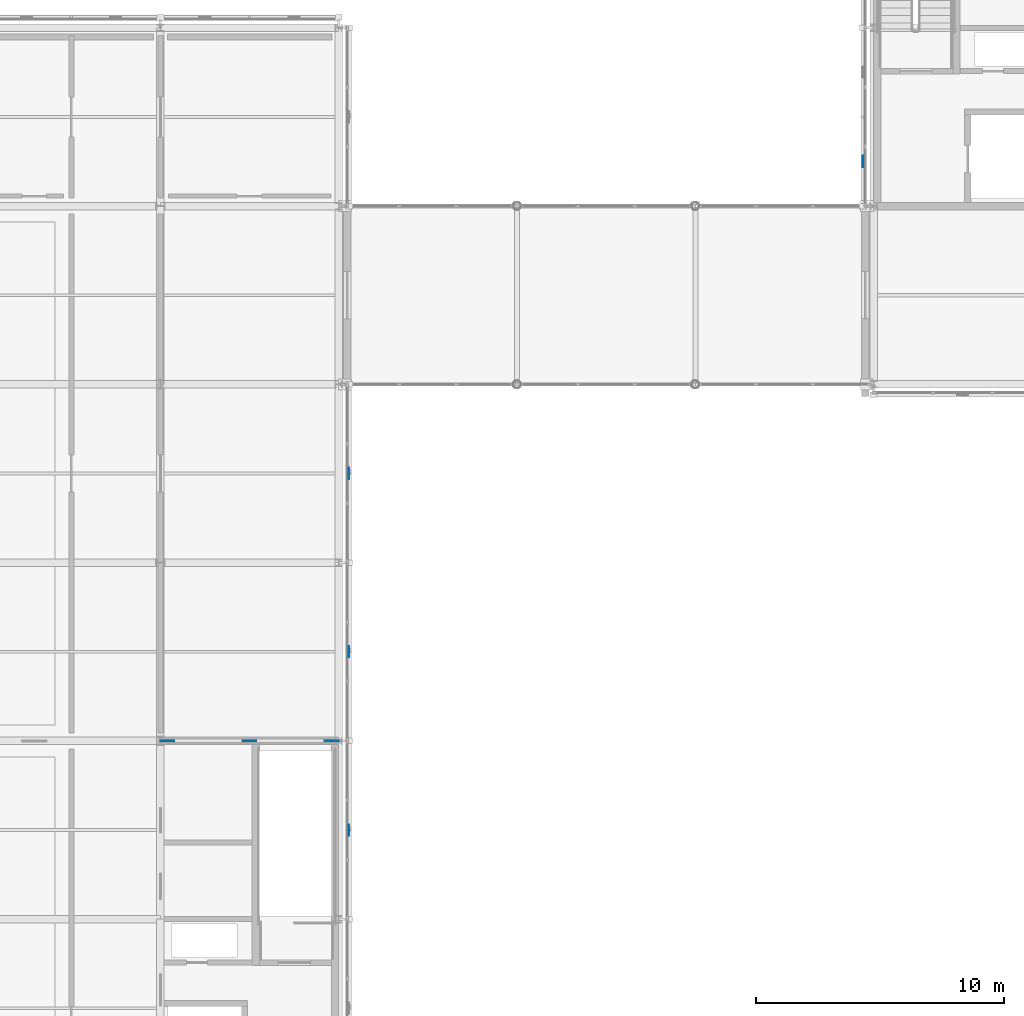
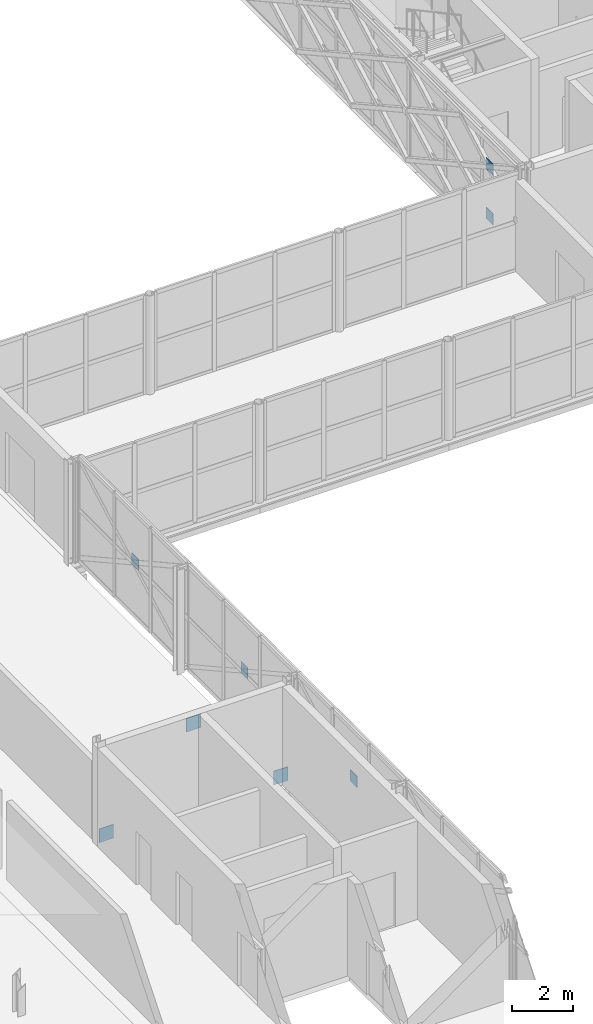
# One storey, part 79 of 103: 8 plates.
"""IFC4 building model written with IfcOpenShell, lengths in metres."""

from ifc_helpers import new_model, si_unit, direction, frame, origin, origin_2d, place, context, subcontext, project, spatial, rectangle, extrude, material, layer, layer_set, type_object, element, save


model = new_model("IFC4")

# Units and contexts
model_context = context("Model", 3, precision=1e-05, world=origin(), true_north=direction((0.0, 1.0)))
body_context = subcontext(model_context, "Body", "Model", "MODEL_VIEW")
ifc_project = project(units=[si_unit("LENGTHUNIT", "METRE"), si_unit("AREAUNIT", "SQUARE_METRE"), si_unit("VOLUMEUNIT", "CUBIC_METRE"), si_unit("PLANEANGLEUNIT", "RADIAN"), si_unit("MASSUNIT", "GRAM", prefix="KILO")], contexts=[model_context])

# Site, building, storey
site_placement = place(None, origin())
site = spatial("IfcSite", under=ifc_project, at=site_placement, CompositionType="ELEMENT")
building_placement = place(site_placement, origin())
building = spatial("IfcBuilding", under=site, at=building_placement, Name="Zlatovets Crest Museum", CompositionType="ELEMENT")
storey_placement = place(building_placement, frame((0.0, 0.0, 12.89990234375)))
storey = spatial("IfcBuildingStorey", under=building, at=storey_placement, Name="L03", CompositionType="ELEMENT", Elevation=12.89990234375)

# Plates
ifc_material = material(Name="Structural steel S355J2", Category="steel")
ifc_layer_1 = layer(ifc_material, 0.02490234375)
ifc_layer_set_1 = layer_set([ifc_layer_1], Name="Structural steel S355J2")
plate_type_1 = type_object("IfcPlateType", Name="Gusset_GP-01", PredefinedType="USERDEFINED", material=ifc_layer_set_1)
for number, where, z_axis, x_axis, name in (
    (1, (29.080078125, 72.0, 0.0048828125), (0.0, 0.0, 1.0), (1.0, 0.0, 0.0), "V4 L03 Brace End Gusset Plate GP-01"),
    (2, (35.719970703125, 72.0, 0.0048828125), (0.0, 0.0, 1.0), (1.0, 0.0, 0.0), "V4 L03 Brace End Gusset Plate GP-01"),
    (3, (32.39990234375, 72.0, 3.294921875), (0.0, 0.0, 1.0), (1.0, 0.0, 0.0), "V4 L03 Brace End Gusset Plate GP-01"),
):
    element("IfcPlate", number, at=place(storey_placement, frame(where, z_axis=z_axis, x_axis=x_axis)), inside=storey, type_object=plate_type_1, Name=name, ObjectType="GUSSET", PredefinedType="USERDEFINED", context=body_context, shape_type="SweptSolid", body=[
        extrude(rectangle(XDim=0.550048828125, YDim=0.02490234375, at=origin_2d()), origin(), (0.0, 0.0, 1.0), 0.550048828125),
    ])
ifc_layer_2 = layer(ifc_material, 0.02001953125)
ifc_layer_set_2 = layer_set([ifc_layer_2], Name="Structural steel S355J2")
plate_type_2 = type_object("IfcPlateType", Name="Gusset_GP-04", PredefinedType="USERDEFINED", material=ifc_layer_set_2)
for number, where, z_axis, x_axis, name in (
    (4, (57.179931640625, 95.39990234375, 0.875), (0.0, 0.0, 1.0), (1.0, 0.0, 0.0), "X-Brace Crossing Node Gusset Plate GP-04"),
    (5, (57.179931640625, 95.39990234375, 2.875), (0.0, 0.0, 1.0), (1.0, 0.0, 0.0), "X-Brace Crossing Node Gusset Plate GP-04"),
    (6, (36.419921875, 68.39990234375, 1.875), (0.0, 0.0, 1.0), (1.0, 0.0, 0.0), "X-Brace Crossing Node Gusset Plate GP-04"),
    (7, (36.419921875, 75.60009765625, 1.875), (0.0, 0.0, 1.0), (1.0, 0.0, 0.0), "X-Brace Crossing Node Gusset Plate GP-04"),
    (8, (36.419921875, 82.800048828125, 1.875), (0.0, 0.0, 1.0), (1.0, 0.0, 0.0), "X-Brace Crossing Node Gusset Plate GP-04"),
):
    element("IfcPlate", number, at=place(storey_placement, frame(where, z_axis=z_axis, x_axis=x_axis)), inside=storey, type_object=plate_type_2, Name=name, ObjectType="GUSSET", PredefinedType="USERDEFINED", context=body_context, shape_type="SweptSolid", body=[
        extrude(rectangle(XDim=0.02001953125, YDim=0.449951171875, at=origin_2d()), origin(), (0.0, 0.0, 1.0), 0.449951171875),
    ])

save(model, "model.ifc")
